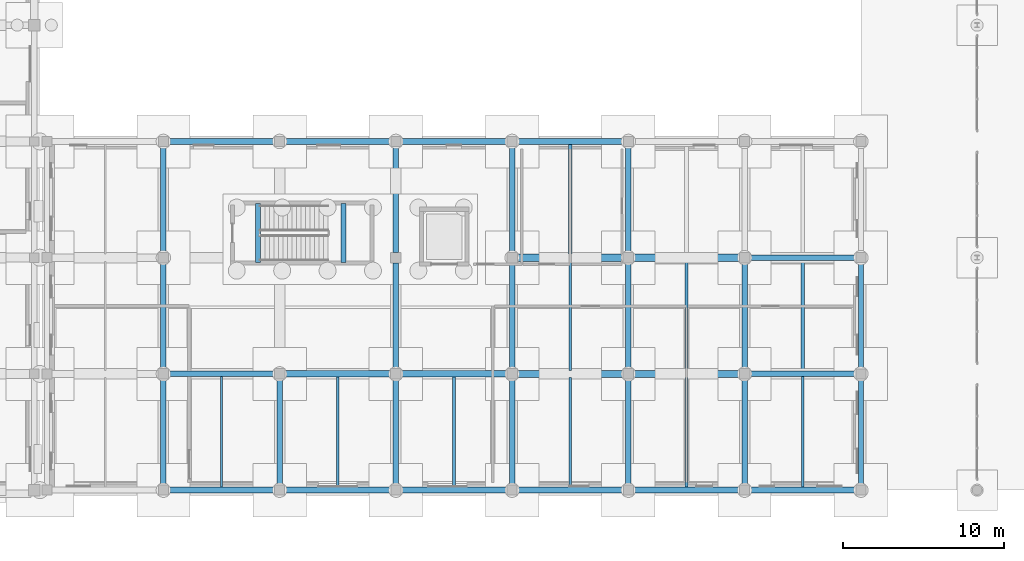
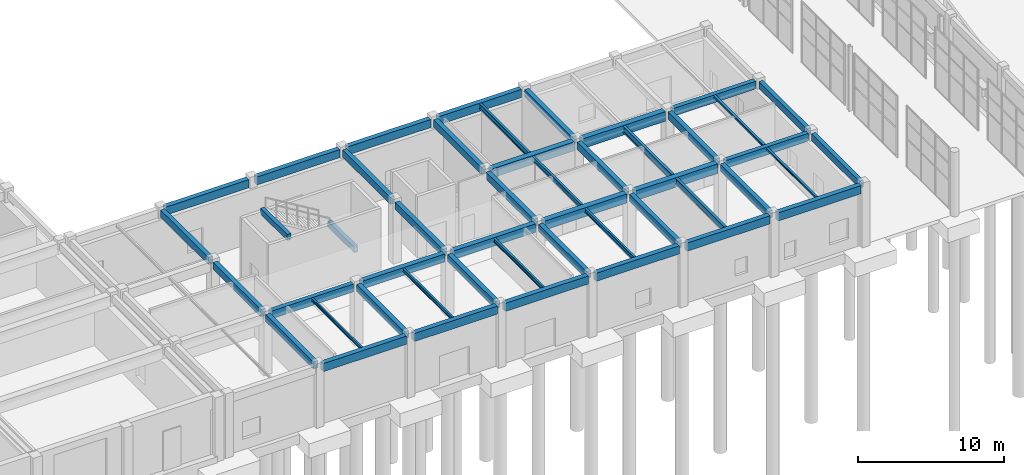
# One storey, part 21 of 91: 48 beams.
"""IFC4 building model written with IfcOpenShell, lengths in metres."""

import ifcopenshell
import ifcopenshell.guid

model = None  # the IFC model being written
_history = None  # IfcOwnerHistory: only IFC2X3 demands one
_inside = {}  # id of a spatial element -> (the spatial element, [elements in it])
_under = {}  # id of a project, library or spatial element -> (it, [spatial elements below it])
_declared = {}  # id of a project -> (the project, [libraries it declares])
_typed = {}  # id of a type object -> (the type object, [elements of that type])
_made_of = {}  # id of a material, layer set ... -> (it, [elements and type objects made of it])


def new_model(schema):
    """Start an empty IFC model of exactly this schema.

    Asked for "IFC4X3", IfcOpenShell would pick the latest addendum, in which some entities
    have other attributes; the version numbers below select the first issue.
    IFC2X3 requires an IfcOwnerHistory on every rooted entity: one is made here for all.
    """
    global model, _history
    if schema == "IFC4X3":
        model = ifcopenshell.file(schema_version=(4, 3, 0, 0))
    else:
        model = ifcopenshell.file(schema=schema)
    _inside.clear()
    _under.clear()
    _declared.clear()
    _typed.clear()
    _made_of.clear()
    _history = None
    if model.schema == "IFC2X3":
        org = make("IfcOrganization", Name="unknown")
        user = make(
            "IfcPersonAndOrganization",
            ThePerson=make("IfcPerson", FamilyName="unknown"),
            TheOrganization=org,
        )
        app = make(
            "IfcApplication",
            ApplicationDeveloper=org,
            Version="unknown",
            ApplicationFullName="unknown",
            ApplicationIdentifier="unknown",
        )
        _history = make(
            "IfcOwnerHistory",
            OwningUser=user,
            OwningApplication=app,
            ChangeAction="ADDED",
            CreationDate=0,
        )
    return model


def make(cls, **values):
    """One entity of the class cls with the attributes given. An attribute that is None is left unset."""
    return model.create_entity(
        cls, **{name: value for name, value in values.items() if value is not None}
    )


def rooted(cls, **values):
    """An entity with a GlobalId (a new one), such as an element, a storey or a relation."""
    return make(cls, GlobalId=ifcopenshell.guid.new(), OwnerHistory=_history, **values)


def si_unit(unit_type, name, prefix=None):
    """IfcSIUnit, for example si_unit("LENGTHUNIT", "METRE", prefix="MILLI")."""
    return make("IfcSIUnit", UnitType=unit_type, Prefix=prefix, Name=name)


def assignment(units):
    """IfcUnitAssignment: the units of a project."""
    return None if units is None else make("IfcUnitAssignment", Units=units)


def point(xyz):
    """IfcCartesianPoint."""
    return None if xyz is None else make("IfcCartesianPoint", Coordinates=xyz)


def direction(xyz):
    """IfcDirection."""
    return None if xyz is None else make("IfcDirection", DirectionRatios=xyz)


def frame(location, z_axis=None, x_axis=None):
    """IfcAxis2Placement3D, a coordinate frame: its origin and axes. An axis left out is left unset."""
    return make(
        "IfcAxis2Placement3D",
        Location=point(location),
        Axis=direction(z_axis),
        RefDirection=direction(x_axis),
    )


def frame_2d(location, x_axis=None):
    """IfcAxis2Placement2D, a coordinate frame in the plane: its origin and x axis."""
    return make(
        "IfcAxis2Placement2D", Location=point(location), RefDirection=direction(x_axis)
    )


def origin():
    """The frame at (0, 0, 0) with its axes left unset."""
    return frame((0.0, 0.0, 0.0))


def origin_2d():
    """The frame at (0, 0) in the plane with its x axis left unset."""
    return frame_2d((0.0, 0.0))


def place(relative_to, where):
    """IfcLocalPlacement: puts the frame where relative to a parent placement (None: the world)."""
    return make(
        "IfcLocalPlacement", PlacementRelTo=relative_to, RelativePlacement=where
    )


def context(
    kind, dimensions, precision=None, world=None, true_north=None, identifier=None
):
    """IfcGeometricRepresentationContext, for example the 3D "Model" context."""
    return make(
        "IfcGeometricRepresentationContext",
        ContextIdentifier=identifier,
        ContextType=kind,
        CoordinateSpaceDimension=dimensions,
        Precision=precision,
        WorldCoordinateSystem=world,
        TrueNorth=true_north,
    )


def subcontext(parent, identifier, kind, view, scale=None):
    """IfcGeometricRepresentationSubContext, for example "Body" below "Model"."""
    return make(
        "IfcGeometricRepresentationSubContext",
        ContextIdentifier=identifier,
        ContextType=kind,
        ParentContext=parent,
        TargetScale=scale,
        TargetView=view,
    )


def project(units=None, contexts=None):
    """IfcProject with its units and contexts."""
    return rooted(
        "IfcProject",
        Name="project",
        RepresentationContexts=contexts,
        UnitsInContext=assignment(units),
    )


def spatial(cls, under=None, at=None, **own):
    """A site, building, storey or space (cls), placed at a placement, below another one or the project."""
    s = rooted(cls, ObjectPlacement=at, **own)
    if under is not None:
        _under.setdefault(under.id(), (under, []))[1].append(s)
    return s


def profile(cls, at=None, kind="AREA", **sizes):
    """A parametric profile (cls). Its sizes go by their IFC names, for example OverallWidth=200.0."""
    return make(cls, ProfileType=kind, Position=at, **sizes)


def rectangle(**sizes):
    """IfcRectangleProfileDef."""
    return profile("IfcRectangleProfileDef", **sizes)


def i_section(**sizes):
    """IfcIShapeProfileDef."""
    return profile("IfcIShapeProfileDef", **sizes)


def extrude(swept, where, along, depth):
    """IfcExtrudedAreaSolid: the profile swept, set in the frame where, extruded along a direction by depth."""
    return make(
        "IfcExtrudedAreaSolid",
        SweptArea=swept,
        Position=where,
        ExtrudedDirection=direction(along),
        Depth=depth,
    )


def shape(context_of_items, identifier, shape_type, items):
    """IfcShapeRepresentation: the items that make up one representation, for example the "Body"."""
    return make(
        "IfcShapeRepresentation",
        ContextOfItems=context_of_items,
        RepresentationIdentifier=identifier,
        RepresentationType=shape_type,
        Items=items,
    )


def material(Name=None, Category=None):
    """IfcMaterial."""
    return make("IfcMaterial", Name=Name, Category=Category)


def material_profile(
    of_material, cross_section, Name=None, Category=None, Priority=None
):
    """IfcMaterialProfile: a cross section and its material."""
    return make(
        "IfcMaterialProfile",
        Name=Name,
        Material=of_material,
        Profile=cross_section,
        Priority=Priority,
        Category=Category,
    )


def profile_set(profiles, Name=None, composite=None):
    """IfcMaterialProfileSet."""
    return make(
        "IfcMaterialProfileSet",
        Name=Name,
        MaterialProfiles=profiles,
        CompositeProfile=composite,
    )


def made_of(thing, what):
    """Note that an element or type object is made of a material, layer set ...; save() writes the relation."""
    if what is not None:
        _made_of.setdefault(what.id(), (what, []))[1].append(thing)
    return thing


def type_object(cls, material=None, **own):
    """A type object (cls), such as IfcWallType, which elements share."""
    return made_of(rooted(cls, **own), material)


def element(
    cls,
    number,
    at=None,
    inside=None,
    cuts=None,
    type_object=None,
    material=None,
    context=None,
    identifier="Body",
    shape_type=None,
    held_by="IfcProductDefinitionShape",
    body=None,
    shapes=None,
    **own,
):
    """One element of the class cls, such as IfcWall. Its Tag is "e" and its number.

    at: its placement. inside: the storey or other place that contains it. cuts: it is an
    opening in that element (IfcRelVoidsElement). A single representation is given by context,
    identifier, shape_type and body (its items); several are given by shapes. held_by: the class
    of the entity that holds the representations. save() writes the other relations.
    """
    e = rooted(cls, Tag="e%d" % number, ObjectPlacement=at, **own)
    if body is not None:
        shapes = [shape(context, identifier, shape_type, body)]
    if shapes is not None:
        e.Representation = make(held_by, Representations=shapes)
    if inside is not None:
        _inside.setdefault(inside.id(), (inside, []))[1].append(e)
    if cuts is not None:
        rooted(
            "IfcRelVoidsElement", RelatingBuildingElement=cuts, RelatedOpeningElement=e
        )
    if type_object is not None:
        _typed.setdefault(type_object.id(), (type_object, []))[1].append(e)
    return made_of(e, material)


def aggregate(whole, parts):
    """IfcRelAggregates: a whole, such as a stair, and the parts it consists of."""
    return rooted("IfcRelAggregates", RelatingObject=whole, RelatedObjects=parts)


def save(model, path):
    """Write the relations noted so far, then the file.

    IfcRelAggregates (storeys below a building ...), IfcRelContainedInSpatialStructure (elements
    in a storey), IfcRelDefinesByType, IfcRelAssociatesMaterial and IfcRelDeclares: one each for
    every whole, place, type object, material and project.
    """
    for whole, parts in _under.values():
        aggregate(whole, parts)
    for where, things in _inside.values():
        rooted(
            "IfcRelContainedInSpatialStructure",
            RelatedElements=things,
            RelatingStructure=where,
        )
    for kind, things in _typed.values():
        rooted("IfcRelDefinesByType", RelatedObjects=things, RelatingType=kind)
    for what, things in _made_of.values():
        rooted("IfcRelAssociatesMaterial", RelatedObjects=things, RelatingMaterial=what)
    for by, libraries in _declared.values():
        rooted("IfcRelDeclares", RelatingContext=by, RelatedDefinitions=libraries)
    model.write(path)


model = new_model("IFC4")

# Units and contexts
model_context = context("Model", 3, precision=1e-05, world=origin(), true_north=direction((0.0, 1.0)))
body_context = subcontext(model_context, "Body", "Model", "MODEL_VIEW")
ifc_project = project(units=[si_unit("LENGTHUNIT", "METRE"), si_unit("AREAUNIT", "SQUARE_METRE"), si_unit("VOLUMEUNIT", "CUBIC_METRE"), si_unit("PLANEANGLEUNIT", "RADIAN"), si_unit("MASSUNIT", "GRAM", prefix="KILO")], contexts=[model_context])

# Site, building, storey
site_placement = place(None, origin())
site = spatial("IfcSite", under=ifc_project, at=site_placement, CompositionType="ELEMENT")
building_placement = place(site_placement, origin())
building = spatial("IfcBuilding", under=site, at=building_placement, Name="Bramveld Media Centre", CompositionType="ELEMENT")
storey_placement = place(building_placement, origin())
storey = spatial("IfcBuildingStorey", under=building, at=storey_placement, Name="L00", CompositionType="ELEMENT", Elevation=0.0)

# Beams
ifc_material_1 = material(Name="Concrete C40/50", Category="concrete")
ifc_material_profile_1 = material_profile(ifc_material_1, rectangle(XDim=0.300048828125, YDim=0.5, at=origin_2d()), Name="RC 300x500")
ifc_profile_set_1 = profile_set([ifc_material_profile_1], Name="Concrete C40/50")
beam_type_1 = type_object("IfcBeamType", Name="BM-INT-RC-300x500", PredefinedType="BEAM", material=ifc_profile_set_1)
for number, where, z_axis, x_axis, name in (
    (1, (71.449951171875, 14.10009765625, 5.14990234375), (0.0, 1.0, 0.0), (-1.0, 0.0, 0.0), "ST-06 L01 stairwell landing trimmer beam"),
    (2, (76.75, 14.10009765625, 2.25), (0.0, 1.0, 0.0), (-1.0, 0.0, 0.0), "ST-06 L00 stairwell half-landing support beam"),
):
    element("IfcBeam", number, at=place(storey_placement, frame(where, z_axis=z_axis, x_axis=x_axis)), inside=storey, type_object=beam_type_1, Name=name, PredefinedType="BEAM", context=body_context, shape_type="SweptSolid", body=[
        extrude(rectangle(XDim=0.300048828125, YDim=0.5, at=origin_2d()), origin(), (0.0, 0.0, 1.0), 3.64990234375),
    ])
ifc_material_2 = material(Name="Concrete C40/50", Category="concrete")
ifc_material_profile_2 = material_profile(ifc_material_2, rectangle(XDim=0.35009765625, YDim=0.60009765625, at=origin_2d()), Name="RC 350x600")
ifc_profile_set_2 = profile_set([ifc_material_profile_2], Name="Concrete C40/50")
beam_type_2 = type_object("IfcBeamType", Name="BM-INT-RC-350x600", PredefinedType="BEAM", material=ifc_profile_set_2)
beam_1_placement = place(storey_placement, frame((65.60009765625, 0.31005859375, 4.85009765625), z_axis=(0.0, 1.0, 0.0), x_axis=(-1.0, 0.0, 0.0)))
element("IfcBeam", 3, at=beam_1_placement, inside=storey, type_object=beam_type_2, Name="V5 L00 girder Y-682", PredefinedType="BEAM", context=body_context, shape_type="SweptSolid", body=[
    extrude(rectangle(XDim=0.35009765625, YDim=0.60009765625, at=origin_2d()), origin(), (0.0, 0.0, 1.0), 6.56494140625),
])
beam_2_placement = place(storey_placement, frame((65.60009765625, 7.52490234375, 4.85009765625), z_axis=(0.0, 1.0, 0.0), x_axis=(-1.0, 0.0, 0.0)))
element("IfcBeam", 4, at=beam_2_placement, inside=storey, type_object=beam_type_2, Name="V5 L00 girder Y-683", PredefinedType="BEAM", context=body_context, shape_type="SweptSolid", body=[
    extrude(rectangle(XDim=0.35009765625, YDim=0.60009765625, at=origin_2d()), origin(), (0.0, 0.0, 1.0), 6.550048828125),
])
for number, where, z_axis, x_axis, name in (
    (5, (65.60009765625, 14.72509765625, 4.85009765625), (0.0, 1.0, 0.0), (-1.0, 0.0, 0.0), "V5 L00 girder Y-684"),
    (6, (72.800048828125, 0.31005859375, 4.85009765625), (0.0, 1.0, 0.0), (-1.0, 0.0, 0.0), "V5 L00 girder Y-685"),
    (7, (80.0, 0.31005859375, 4.85009765625), (0.0, 1.0, 0.0), (-1.0, 0.0, 0.0), "V5 L00 girder Y-686"),
):
    element("IfcBeam", number, at=place(storey_placement, frame(where, z_axis=z_axis, x_axis=x_axis)), inside=storey, type_object=beam_type_2, Name=name, PredefinedType="BEAM", context=body_context, shape_type="SweptSolid", body=[
        extrude(rectangle(XDim=0.35009765625, YDim=0.60009765625, at=origin_2d()), origin(), (0.0, 0.0, 1.0), 6.56494140625),
    ])
beam_3_placement = place(storey_placement, frame((80.0, 7.52490234375, 4.85009765625), z_axis=(0.0, 1.0, 0.0), x_axis=(-1.0, 0.0, 0.0)))
element("IfcBeam", 8, at=beam_3_placement, inside=storey, type_object=beam_type_2, Name="V5 L00 girder Y-687", PredefinedType="BEAM", context=body_context, shape_type="SweptSolid", body=[
    extrude(rectangle(XDim=0.35009765625, YDim=0.60009765625, at=origin_2d()), origin(), (0.0, 0.0, 1.0), 6.550048828125),
])
for number, where, z_axis, x_axis, name in (
    (9, (80.0, 14.72509765625, 4.85009765625), (0.0, 1.0, 0.0), (-1.0, 0.0, 0.0), "V5 L00 girder Y-688"),
    (10, (87.199951171875, 0.31005859375, 4.85009765625), (0.0, 1.0, 0.0), (-1.0, 0.0, 0.0), "V5 L00 girder Y-689"),
):
    element("IfcBeam", number, at=place(storey_placement, frame(where, z_axis=z_axis, x_axis=x_axis)), inside=storey, type_object=beam_type_2, Name=name, PredefinedType="BEAM", context=body_context, shape_type="SweptSolid", body=[
        extrude(rectangle(XDim=0.35009765625, YDim=0.60009765625, at=origin_2d()), origin(), (0.0, 0.0, 1.0), 6.56494140625),
    ])
beam_4_placement = place(storey_placement, frame((87.199951171875, 7.52490234375, 4.85009765625), z_axis=(0.0, 1.0, 0.0), x_axis=(-1.0, 0.0, 0.0)))
element("IfcBeam", 11, at=beam_4_placement, inside=storey, type_object=beam_type_2, Name="V5 L00 girder Y-690", PredefinedType="BEAM", context=body_context, shape_type="SweptSolid", body=[
    extrude(rectangle(XDim=0.35009765625, YDim=0.60009765625, at=origin_2d()), origin(), (0.0, 0.0, 1.0), 6.550048828125),
])
for number, where, z_axis, x_axis, name in (
    (12, (87.199951171875, 14.72509765625, 4.85009765625), (0.0, 1.0, 0.0), (-1.0, 0.0, 0.0), "V5 L00 girder Y-691"),
    (13, (94.39990234375, 0.31005859375, 4.85009765625), (0.0, 1.0, 0.0), (-1.0, 0.0, 0.0), "V5 L00 girder Y-692"),
):
    element("IfcBeam", number, at=place(storey_placement, frame(where, z_axis=z_axis, x_axis=x_axis)), inside=storey, type_object=beam_type_2, Name=name, PredefinedType="BEAM", context=body_context, shape_type="SweptSolid", body=[
        extrude(rectangle(XDim=0.35009765625, YDim=0.60009765625, at=origin_2d()), origin(), (0.0, 0.0, 1.0), 6.56494140625),
    ])
beam_5_placement = place(storey_placement, frame((94.39990234375, 7.52490234375, 4.85009765625), z_axis=(0.0, 1.0, 0.0), x_axis=(-1.0, 0.0, 0.0)))
element("IfcBeam", 14, at=beam_5_placement, inside=storey, type_object=beam_type_2, Name="V5 L00 girder Y-693", PredefinedType="BEAM", context=body_context, shape_type="SweptSolid", body=[
    extrude(rectangle(XDim=0.35009765625, YDim=0.60009765625, at=origin_2d()), origin(), (0.0, 0.0, 1.0), 6.550048828125),
])
for number, where, z_axis, x_axis, name in (
    (15, (94.39990234375, 14.72509765625, 4.85009765625), (0.0, 1.0, 0.0), (-1.0, 0.0, 0.0), "V5 L00 girder Y-694"),
    (16, (101.60009765625, 0.31005859375, 4.85009765625), (0.0, 1.0, 0.0), (-1.0, 0.0, 0.0), "V5 L00 girder Y-695"),
):
    element("IfcBeam", number, at=place(storey_placement, frame(where, z_axis=z_axis, x_axis=x_axis)), inside=storey, type_object=beam_type_2, Name=name, PredefinedType="BEAM", context=body_context, shape_type="SweptSolid", body=[
        extrude(rectangle(XDim=0.35009765625, YDim=0.60009765625, at=origin_2d()), origin(), (0.0, 0.0, 1.0), 6.56494140625),
    ])
beam_6_placement = place(storey_placement, frame((101.60009765625, 7.52490234375, 4.85009765625), z_axis=(0.0, 1.0, 0.0), x_axis=(-1.0, 0.0, 0.0)))
element("IfcBeam", 17, at=beam_6_placement, inside=storey, type_object=beam_type_2, Name="V5 L00 girder Y-696", PredefinedType="BEAM", context=body_context, shape_type="SweptSolid", body=[
    extrude(rectangle(XDim=0.35009765625, YDim=0.60009765625, at=origin_2d()), origin(), (0.0, 0.0, 1.0), 6.550048828125),
])
ifc_material_3 = material(Name="Concrete C40/50", Category="concrete")
ifc_material_profile_3 = material_profile(ifc_material_3, rectangle(XDim=0.35009765625, YDim=0.64990234375, at=origin_2d()), Name="RC 350x650")
ifc_profile_set_3 = profile_set([ifc_material_profile_3], Name="Concrete C40/50")
beam_type_3 = type_object("IfcBeamType", Name="BM-INT-RC-350x650", PredefinedType="BEAM", material=ifc_profile_set_3)
beam_7_placement = place(storey_placement, frame((65.925048828125, 7.199951171875, 4.824951171875), z_axis=(1.0, 0.0, 0.0), x_axis=(0.0, 1.0, 0.0)))
element("IfcBeam", 18, at=beam_7_placement, inside=storey, type_object=beam_type_3, Name="V5 L00 girder X-662", PredefinedType="BEAM", context=body_context, shape_type="SweptSolid", body=[
    extrude(rectangle(XDim=0.35009765625, YDim=0.64990234375, at=origin_2d()), origin(), (0.0, 0.0, 1.0), 6.550048828125),
])
for number, where, z_axis, x_axis, name in (
    (19, (101.925048828125, 7.199951171875, 4.824951171875), (1.0, 0.0, 0.0), (0.0, 1.0, 0.0), "V5 L00 girder X-667"),
    (20, (101.925048828125, 14.39990234375, 4.824951171875), (1.0, 0.0, 0.0), (0.0, 1.0, 0.0), "V5 L00 girder X-671"),
):
    element("IfcBeam", number, at=place(storey_placement, frame(where, z_axis=z_axis, x_axis=x_axis)), inside=storey, type_object=beam_type_3, Name=name, PredefinedType="BEAM", context=body_context, shape_type="SweptSolid", body=[
        extrude(rectangle(XDim=0.35009765625, YDim=0.64990234375, at=origin_2d()), origin(), (0.0, 0.0, 1.0), 6.56494140625),
    ])
ifc_material_4 = material(Name="Concrete C40/50", Category="concrete")
ifc_material_profile_4 = material_profile(ifc_material_4, rectangle(XDim=0.39990234375, YDim=0.64990234375, at=origin_2d()), Name="RC 400x650")
ifc_profile_set_4 = profile_set([ifc_material_profile_4], Name="Concrete C40/50")
beam_type_4 = type_object("IfcBeamType", Name="BM-INT-RC-400x650", PredefinedType="BEAM", material=ifc_profile_set_4)
beam_8_placement = place(storey_placement, frame((73.125, 7.199951171875, 4.824951171875), z_axis=(1.0, 0.0, 0.0), x_axis=(0.0, 1.0, 0.0)))
element("IfcBeam", 21, at=beam_8_placement, inside=storey, type_object=beam_type_4, Name="V5 L00 girder X-663", PredefinedType="BEAM", context=body_context, shape_type="SweptSolid", body=[
    extrude(rectangle(XDim=0.39990234375, YDim=0.64990234375, at=origin_2d()), origin(), (0.0, 0.0, 1.0), 6.550048828125),
])
ifc_material_5 = material(Name="Concrete C40/50", Category="concrete")
ifc_material_profile_5 = material_profile(ifc_material_5, rectangle(XDim=0.39990234375, YDim=0.699951171875, at=origin_2d()), Name="RC 400x700")
ifc_profile_set_5 = profile_set([ifc_material_profile_5], Name="Concrete C40/50")
beam_type_5 = type_object("IfcBeamType", Name="BM-INT-RC-400x700", PredefinedType="BEAM", material=ifc_profile_set_5)
beam_9_placement = place(storey_placement, frame((80.324951171875, 7.199951171875, 4.800048828125), z_axis=(1.0, 0.0, 0.0), x_axis=(0.0, 1.0, 0.0)))
element("IfcBeam", 22, at=beam_9_placement, inside=storey, type_object=beam_type_5, Name="V5 L00 girder X-664", PredefinedType="BEAM", context=body_context, shape_type="SweptSolid", body=[
    extrude(rectangle(XDim=0.39990234375, YDim=0.699951171875, at=origin_2d()), origin(), (0.0, 0.0, 1.0), 6.550048828125),
])
ifc_material_6 = material(Name="Concrete C40/50", Category="concrete")
ifc_material_profile_6 = material_profile(ifc_material_6, rectangle(XDim=0.449951171875, YDim=0.75, at=origin_2d()), Name="RC 450x750")
ifc_profile_set_6 = profile_set([ifc_material_profile_6], Name="Concrete C40/50")
beam_type_6 = type_object("IfcBeamType", Name="BM-INT-RC-450x750", PredefinedType="BEAM", material=ifc_profile_set_6)
for number, where, z_axis, x_axis, name in (
    (23, (87.52490234375, 7.199951171875, 4.77490234375), (1.0, 0.0, 0.0), (0.0, 1.0, 0.0), "V5 L00 girder X-665"),
    (24, (87.52490234375, 14.39990234375, 4.77490234375), (1.0, 0.0, 0.0), (0.0, 1.0, 0.0), "V5 L00 girder X-669"),
):
    element("IfcBeam", number, at=place(storey_placement, frame(where, z_axis=z_axis, x_axis=x_axis)), inside=storey, type_object=beam_type_6, Name=name, PredefinedType="BEAM", context=body_context, shape_type="SweptSolid", body=[
        extrude(rectangle(XDim=0.449951171875, YDim=0.75, at=origin_2d()), origin(), (0.0, 0.0, 1.0), 6.550048828125),
    ])
ifc_material_7 = material(Name="Concrete C40/50", Category="concrete")
ifc_material_profile_7 = material_profile(ifc_material_7, rectangle(XDim=0.449951171875, YDim=0.800048828125, at=origin_2d()), Name="RC 450x800")
ifc_profile_set_7 = profile_set([ifc_material_profile_7], Name="Concrete C40/50")
beam_type_7 = type_object("IfcBeamType", Name="BM-INT-RC-450x800", PredefinedType="BEAM", material=ifc_profile_set_7)
for number, where, z_axis, x_axis, name in (
    (25, (94.72509765625, 7.199951171875, 4.75), (1.0, 0.0, 0.0), (0.0, 1.0, 0.0), "V5 L00 girder X-666"),
    (26, (94.72509765625, 14.39990234375, 4.75), (1.0, 0.0, 0.0), (0.0, 1.0, 0.0), "V5 L00 girder X-670"),
):
    element("IfcBeam", number, at=place(storey_placement, frame(where, z_axis=z_axis, x_axis=x_axis)), inside=storey, type_object=beam_type_7, Name=name, PredefinedType="BEAM", context=body_context, shape_type="SweptSolid", body=[
        extrude(rectangle(XDim=0.449951171875, YDim=0.800048828125, at=origin_2d()), origin(), (0.0, 0.0, 1.0), 6.5498046875),
    ])
ifc_material_8 = material(Name="Steel S355J2", Category="steel")
ifc_material_profile_8 = material_profile(ifc_material_8, i_section(OverallWidth=0.179931640625, OverallDepth=0.1708984375, WebThickness=0.006103515625, FlangeThickness=0.009521484375, FilletRadius=0.014892578125, at=origin_2d()), Name="HEA 180")
ifc_profile_set_8 = profile_set([ifc_material_profile_8], Name="Steel S355J2")
beam_type_8 = type_object("IfcBeamType", Name="SBM-INT-HEA-180", PredefinedType="BEAM", material=ifc_profile_set_8)
beam_10_placement = place(storey_placement, frame((105.199951171875, 0.18994140625, 5.064453125), z_axis=(0.0, 1.0, 0.0), x_axis=(-1.0, 0.0, 0.0)))
element("IfcBeam", 27, at=beam_10_placement, inside=storey, type_object=beam_type_8, Name="V5 L00 secondary floor joist 713", PredefinedType="BEAM", context=body_context, shape_type="SweptSolid", body=[
    extrude(i_section(OverallWidth=0.179931640625, OverallDepth=0.1708984375, WebThickness=0.006103515625, FlangeThickness=0.009521484375, FilletRadius=0.014892578125, at=origin_2d()), origin(), (0.0, 0.0, 1.0), 6.8349609375),
])
ifc_material_9 = material(Name="Steel S355J2", Category="steel")
ifc_material_profile_9 = material_profile(ifc_material_9, i_section(OverallWidth=0.199951171875, OverallDepth=0.18994140625, WebThickness=0.006591796875, FlangeThickness=0.010009765625, FilletRadius=0.01806640625, at=origin_2d()), Name="HEA 200")
ifc_profile_set_9 = profile_set([ifc_material_profile_9], Name="Steel S355J2")
beam_type_9 = type_object("IfcBeamType", Name="SBM-INT-HEA-200", PredefinedType="BEAM", material=ifc_profile_set_9)
beam_11_placement = place(storey_placement, frame((105.199951171875, 7.375, 5.054931640625), z_axis=(0.0, 1.0, 0.0), x_axis=(-1.0, 0.0, 0.0)))
element("IfcBeam", 28, at=beam_11_placement, inside=storey, type_object=beam_type_9, Name="V5 L00 secondary floor joist 714", PredefinedType="BEAM", context=body_context, shape_type="SweptSolid", body=[
    extrude(i_section(OverallWidth=0.199951171875, OverallDepth=0.18994140625, WebThickness=0.006591796875, FlangeThickness=0.010009765625, FilletRadius=0.01806640625, at=origin_2d()), origin(), (0.0, 0.0, 1.0), 6.85009765625),
])
ifc_material_10 = material(Name="Steel S355J2", Category="steel")
ifc_material_profile_10 = material_profile(ifc_material_10, i_section(OverallWidth=0.135009765625, OverallDepth=0.27001953125, WebThickness=0.006591796875, FlangeThickness=0.01025390625, FilletRadius=0.014892578125, at=origin_2d()), Name="IPE 270")
ifc_profile_set_10 = profile_set([ifc_material_profile_10], Name="Steel S355J2")
beam_type_10 = type_object("IfcBeamType", Name="SBM-INT-IPE-270", PredefinedType="JOIST", material=ifc_profile_set_10)
beam_12_placement = place(storey_placement, frame((69.199951171875, 0.18994140625, 5.014892578125), z_axis=(0.0, 1.0, 0.0), x_axis=(-1.0, 0.0, 0.0)))
element("IfcBeam", 29, at=beam_12_placement, inside=storey, type_object=beam_type_10, Name="V5 L00 secondary floor joist 704", PredefinedType="JOIST", context=body_context, shape_type="SweptSolid", body=[
    extrude(i_section(OverallWidth=0.135009765625, OverallDepth=0.27001953125, WebThickness=0.006591796875, FlangeThickness=0.01025390625, FilletRadius=0.014892578125, at=origin_2d()), origin(), (0.0, 0.0, 1.0), 6.8349609375),
])
ifc_material_11 = material(Name="Steel S355J2", Category="steel")
ifc_material_profile_11 = material_profile(ifc_material_11, i_section(OverallWidth=0.14990234375, OverallDepth=0.300048828125, WebThickness=0.007080078125, FlangeThickness=0.0107421875, FilletRadius=0.014892578125, at=origin_2d()), Name="IPE 300")
ifc_profile_set_11 = profile_set([ifc_material_profile_11], Name="Steel S355J2")
beam_type_11 = type_object("IfcBeamType", Name="SBM-INT-IPE-300", PredefinedType="JOIST", material=ifc_profile_set_11)
beam_13_placement = place(storey_placement, frame((76.39990234375, 0.18994140625, 5.0), z_axis=(0.0, 1.0, 0.0), x_axis=(-1.0, 0.0, 0.0)))
element("IfcBeam", 30, at=beam_13_placement, inside=storey, type_object=beam_type_11, Name="V5 L00 secondary floor joist 705", PredefinedType="JOIST", context=body_context, shape_type="SweptSolid", body=[
    extrude(i_section(OverallWidth=0.14990234375, OverallDepth=0.300048828125, WebThickness=0.007080078125, FlangeThickness=0.0107421875, FilletRadius=0.014892578125, at=origin_2d()), origin(), (0.0, 0.0, 1.0), 6.81005859375),
])
ifc_material_12 = material(Name="Steel S355J2", Category="steel")
ifc_material_profile_12 = material_profile(ifc_material_12, i_section(OverallWidth=0.159912109375, OverallDepth=0.330078125, WebThickness=0.007568359375, FlangeThickness=0.011474609375, FilletRadius=0.01806640625, at=origin_2d()), Name="IPE 330")
ifc_profile_set_12 = profile_set([ifc_material_profile_12], Name="Steel S355J2")
beam_type_12 = type_object("IfcBeamType", Name="SBM-INT-IPE-330", PredefinedType="JOIST", material=ifc_profile_set_12)
beam_14_placement = place(storey_placement, frame((83.60009765625, 0.18994140625, 4.985107421875), z_axis=(0.0, 1.0, 0.0), x_axis=(-1.0, 0.0, 0.0)))
element("IfcBeam", 31, at=beam_14_placement, inside=storey, type_object=beam_type_12, Name="V5 L00 secondary floor joist 706", PredefinedType="JOIST", context=body_context, shape_type="SweptSolid", body=[
    extrude(i_section(OverallWidth=0.159912109375, OverallDepth=0.330078125, WebThickness=0.007568359375, FlangeThickness=0.011474609375, FilletRadius=0.01806640625, at=origin_2d()), origin(), (0.0, 0.0, 1.0), 6.81005859375),
])
ifc_material_13 = material(Name="Steel S355J2", Category="steel")
ifc_material_profile_13 = material_profile(ifc_material_13, i_section(OverallWidth=0.169921875, OverallDepth=0.360107421875, WebThickness=0.008056640625, FlangeThickness=0.0126953125, FilletRadius=0.01806640625, at=origin_2d()), Name="IPE 360")
ifc_profile_set_13 = profile_set([ifc_material_profile_13], Name="Steel S355J2")
beam_type_13 = type_object("IfcBeamType", Name="SBM-INT-IPE-360", PredefinedType="JOIST", material=ifc_profile_set_13)
beam_15_placement = place(storey_placement, frame((90.800048828125, 0.18994140625, 4.969970703125), z_axis=(0.0, 1.0, 0.0), x_axis=(-1.0, 0.0, 0.0)))
element("IfcBeam", 32, at=beam_15_placement, inside=storey, type_object=beam_type_13, Name="V5 L00 secondary floor joist 707", PredefinedType="JOIST", context=body_context, shape_type="SweptSolid", body=[
    extrude(i_section(OverallWidth=0.169921875, OverallDepth=0.360107421875, WebThickness=0.008056640625, FlangeThickness=0.0126953125, FilletRadius=0.01806640625, at=origin_2d()), origin(), (0.0, 0.0, 1.0), 6.78515625),
])
ifc_material_14 = material(Name="Steel S355J2", Category="steel")
ifc_material_profile_14 = material_profile(ifc_material_14, i_section(OverallWidth=0.179931640625, OverallDepth=0.39990234375, WebThickness=0.008544921875, FlangeThickness=0.013427734375, FilletRadius=0.02099609375, at=origin_2d()), Name="IPE 400")
ifc_profile_set_14 = profile_set([ifc_material_profile_14], Name="Steel S355J2")
beam_type_14 = type_object("IfcBeamType", Name="SBM-INT-IPE-400", PredefinedType="JOIST", material=ifc_profile_set_14)
beam_16_placement = place(storey_placement, frame((90.800048828125, 7.425048828125, 4.949951171875), z_axis=(0.0, 1.0, 0.0), x_axis=(-1.0, 0.0, 0.0)))
element("IfcBeam", 33, at=beam_16_placement, inside=storey, type_object=beam_type_14, Name="V5 L00 secondary floor joist 708", PredefinedType="JOIST", context=body_context, shape_type="SweptSolid", body=[
    extrude(i_section(OverallWidth=0.179931640625, OverallDepth=0.39990234375, WebThickness=0.008544921875, FlangeThickness=0.013427734375, FilletRadius=0.02099609375, at=origin_2d()), origin(), (0.0, 0.0, 1.0), 6.75),
])
ifc_material_15 = material(Name="Steel S355J2", Category="steel")
ifc_material_profile_15 = material_profile(ifc_material_15, i_section(OverallWidth=0.18994140625, OverallDepth=0.449951171875, WebThickness=0.009521484375, FlangeThickness=0.0146484375, FilletRadius=0.02099609375, at=origin_2d()), Name="IPE 450")
ifc_profile_set_15 = profile_set([ifc_material_profile_15], Name="Steel S355J2")
beam_type_15 = type_object("IfcBeamType", Name="SBM-INT-IPE-450", PredefinedType="BEAM", material=ifc_profile_set_15)
beam_17_placement = place(storey_placement, frame((90.800048828125, 14.625, 4.925048828125), z_axis=(0.0, 1.0, 0.0), x_axis=(-1.0, 0.0, 0.0)))
element("IfcBeam", 34, at=beam_17_placement, inside=storey, type_object=beam_type_15, Name="V5 L00 secondary floor joist 709", PredefinedType="BEAM", context=body_context, shape_type="SweptSolid", body=[
    extrude(i_section(OverallWidth=0.18994140625, OverallDepth=0.449951171875, WebThickness=0.009521484375, FlangeThickness=0.0146484375, FilletRadius=0.02099609375, at=origin_2d()), origin(), (0.0, 0.0, 1.0), 6.784912109375),
])
ifc_material_16 = material(Name="Steel S355J2", Category="steel")
ifc_material_profile_16 = material_profile(ifc_material_16, i_section(OverallWidth=0.199951171875, OverallDepth=0.5, WebThickness=0.01025390625, FlangeThickness=0.01611328125, FilletRadius=0.02099609375, at=origin_2d()), Name="IPE 500")
ifc_profile_set_16 = profile_set([ifc_material_profile_16], Name="Steel S355J2")
beam_type_16 = type_object("IfcBeamType", Name="SBM-INT-IPE-500", PredefinedType="BEAM", material=ifc_profile_set_16)
beam_18_placement = place(storey_placement, frame((98.0, 0.18994140625, 4.89990234375), z_axis=(0.0, 1.0, 0.0), x_axis=(-1.0, 0.0, 0.0)))
element("IfcBeam", 35, at=beam_18_placement, inside=storey, type_object=beam_type_16, Name="V5 L00 secondary floor joist 710", PredefinedType="BEAM", context=body_context, shape_type="SweptSolid", body=[
    extrude(i_section(OverallWidth=0.199951171875, OverallDepth=0.5, WebThickness=0.01025390625, FlangeThickness=0.01611328125, FilletRadius=0.02099609375, at=origin_2d()), origin(), (0.0, 0.0, 1.0), 6.78515625),
])
ifc_material_17 = material(Name="Steel S355J2", Category="steel")
ifc_material_profile_17 = material_profile(ifc_material_17, i_section(OverallWidth=0.2099609375, OverallDepth=0.550048828125, WebThickness=0.010986328125, FlangeThickness=0.01708984375, FilletRadius=0.02392578125, at=origin_2d()), Name="IPE 550")
ifc_profile_set_17 = profile_set([ifc_material_profile_17], Name="Steel S355J2")
beam_type_17 = type_object("IfcBeamType", Name="SBM-INT-IPE-550", PredefinedType="BEAM", material=ifc_profile_set_17)
beam_19_placement = place(storey_placement, frame((98.0, 7.425048828125, 4.875), z_axis=(0.0, 1.0, 0.0), x_axis=(-1.0, 0.0, 0.0)))
element("IfcBeam", 36, at=beam_19_placement, inside=storey, type_object=beam_type_17, Name="V5 L00 secondary floor joist 711", PredefinedType="BEAM", context=body_context, shape_type="SweptSolid", body=[
    extrude(i_section(OverallWidth=0.2099609375, OverallDepth=0.550048828125, WebThickness=0.010986328125, FlangeThickness=0.01708984375, FilletRadius=0.02392578125, at=origin_2d()), origin(), (0.0, 0.0, 1.0), 6.75),
])
ifc_material_18 = material(Name="Concrete C40/50", Category="concrete")
ifc_material_profile_18 = material_profile(ifc_material_18, rectangle(XDim=0.320068359375, YDim=0.580078125, at=origin_2d()), Name="RC 320x580")
ifc_profile_set_18 = profile_set([ifc_material_profile_18], Name="Concrete C40/50")
beam_type_18 = type_object("IfcBeamType", Name="SPANDREL-EXT-RC-320x580", PredefinedType="SPANDREL", material=ifc_profile_set_18)
beam_20_placement = place(storey_placement, frame((108.800048828125, 0.31005859375, 4.860107421875), z_axis=(0.0, 1.0, 0.0), x_axis=(-1.0, 0.0, 0.0)))
element("IfcBeam", 37, at=beam_20_placement, inside=storey, type_object=beam_type_18, Name="V5 L00 girder Y-698", PredefinedType="SPANDREL", context=body_context, shape_type="SweptSolid", body=[
    extrude(rectangle(XDim=0.320068359375, YDim=0.580078125, at=origin_2d()), origin(), (0.0, 0.0, 1.0), 6.579833984375),
])
beam_21_placement = place(storey_placement, frame((108.800048828125, 7.510009765625, 4.860107421875), z_axis=(0.0, 1.0, 0.0), x_axis=(-1.0, 0.0, 0.0)))
element("IfcBeam", 38, at=beam_21_placement, inside=storey, type_object=beam_type_18, Name="V5 L00 girder Y-699", PredefinedType="SPANDREL", context=body_context, shape_type="SweptSolid", body=[
    extrude(rectangle(XDim=0.320068359375, YDim=0.580078125, at=origin_2d()), origin(), (0.0, 0.0, 1.0), 6.580078125),
])
ifc_material_19 = material(Name="Concrete C40/50", Category="concrete")
ifc_material_profile_19 = material_profile(ifc_material_19, rectangle(XDim=0.3798828125, YDim=0.679931640625, at=origin_2d()), Name="RC 380x680")
ifc_profile_set_19 = profile_set([ifc_material_profile_19], Name="Concrete C40/50")
beam_type_19 = type_object("IfcBeamType", Name="SPANDREL-EXT-RC-380x680", PredefinedType="SPANDREL", material=ifc_profile_set_19)
beam_22_placement = place(storey_placement, frame((65.909912109375, 0.0, 4.81005859375), z_axis=(1.0, 0.0, 0.0), x_axis=(0.0, 1.0, 0.0)))
element("IfcBeam", 39, at=beam_22_placement, inside=storey, type_object=beam_type_19, Name="V5 L00 girder X-655", PredefinedType="SPANDREL", context=body_context, shape_type="SweptSolid", body=[
    extrude(rectangle(XDim=0.3798828125, YDim=0.679931640625, at=origin_2d()), origin(), (0.0, 0.0, 1.0), 6.580078125),
])
for number, where, z_axis, x_axis, name in (
    (40, (73.110107421875, 0.0, 4.81005859375), (1.0, 0.0, 0.0), (0.0, 1.0, 0.0), "V5 L00 girder X-656"),
    (41, (80.31005859375, 0.0, 4.81005859375), (1.0, 0.0, 0.0), (0.0, 1.0, 0.0), "V5 L00 girder X-657"),
):
    element("IfcBeam", number, at=place(storey_placement, frame(where, z_axis=z_axis, x_axis=x_axis)), inside=storey, type_object=beam_type_19, Name=name, PredefinedType="SPANDREL", context=body_context, shape_type="SweptSolid", body=[
        extrude(rectangle(XDim=0.3798828125, YDim=0.679931640625, at=origin_2d()), origin(), (0.0, 0.0, 1.0), 6.579833984375),
    ])
for number, where, z_axis, x_axis, name in (
    (42, (87.510009765625, 0.0, 4.81005859375), (1.0, 0.0, 0.0), (0.0, 1.0, 0.0), "V5 L00 girder X-658"),
    (43, (94.7099609375, 0.0, 4.81005859375), (1.0, 0.0, 0.0), (0.0, 1.0, 0.0), "V5 L00 girder X-659"),
    (44, (101.909912109375, 0.0, 4.81005859375), (1.0, 0.0, 0.0), (0.0, 1.0, 0.0), "V5 L00 girder X-660"),
    (45, (65.909912109375, 21.60009765625, 4.81005859375), (1.0, 0.0, 0.0), (0.0, 1.0, 0.0), "V5 L00 girder X-673"),
):
    element("IfcBeam", number, at=place(storey_placement, frame(where, z_axis=z_axis, x_axis=x_axis)), inside=storey, type_object=beam_type_19, Name=name, PredefinedType="SPANDREL", context=body_context, shape_type="SweptSolid", body=[
        extrude(rectangle(XDim=0.3798828125, YDim=0.679931640625, at=origin_2d()), origin(), (0.0, 0.0, 1.0), 6.580078125),
    ])
for number, where, z_axis, x_axis, name in (
    (46, (73.110107421875, 21.60009765625, 4.81005859375), (1.0, 0.0, 0.0), (0.0, 1.0, 0.0), "V5 L00 girder X-674"),
    (47, (80.31005859375, 21.60009765625, 4.81005859375), (1.0, 0.0, 0.0), (0.0, 1.0, 0.0), "V5 L00 girder X-675"),
):
    element("IfcBeam", number, at=place(storey_placement, frame(where, z_axis=z_axis, x_axis=x_axis)), inside=storey, type_object=beam_type_19, Name=name, PredefinedType="SPANDREL", context=body_context, shape_type="SweptSolid", body=[
        extrude(rectangle(XDim=0.3798828125, YDim=0.679931640625, at=origin_2d()), origin(), (0.0, 0.0, 1.0), 6.579833984375),
    ])
beam_23_placement = place(storey_placement, frame((87.510009765625, 21.60009765625, 4.81005859375), z_axis=(1.0, 0.0, 0.0), x_axis=(0.0, 1.0, 0.0)))
element("IfcBeam", 48, at=beam_23_placement, inside=storey, type_object=beam_type_19, Name="V5 L00 girder X-676", PredefinedType="SPANDREL", context=body_context, shape_type="SweptSolid", body=[
    extrude(rectangle(XDim=0.3798828125, YDim=0.679931640625, at=origin_2d()), origin(), (0.0, 0.0, 1.0), 6.580078125),
])

save(model, "model.ifc")
